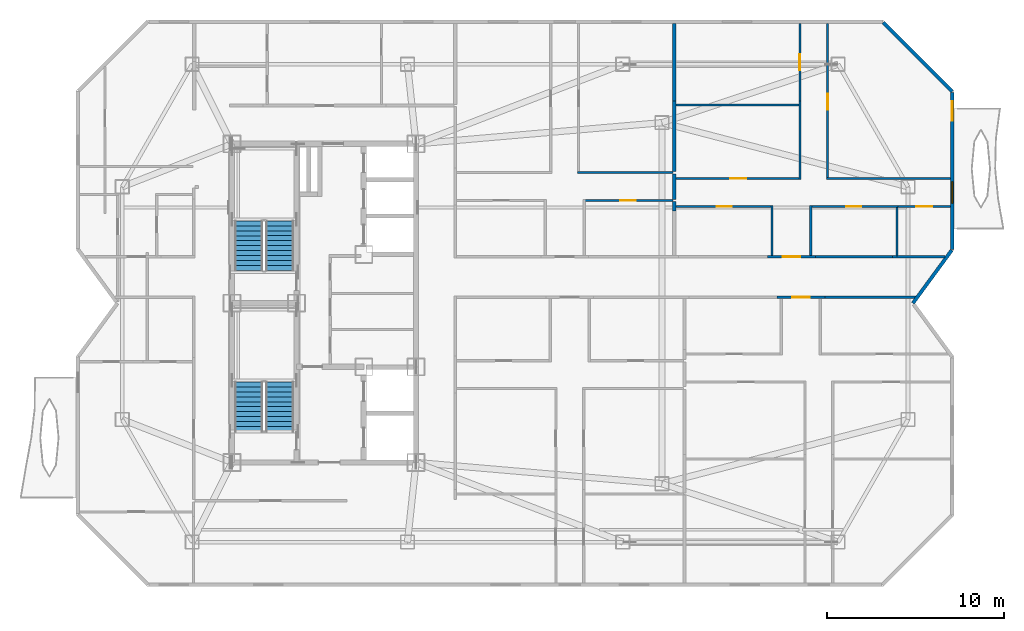
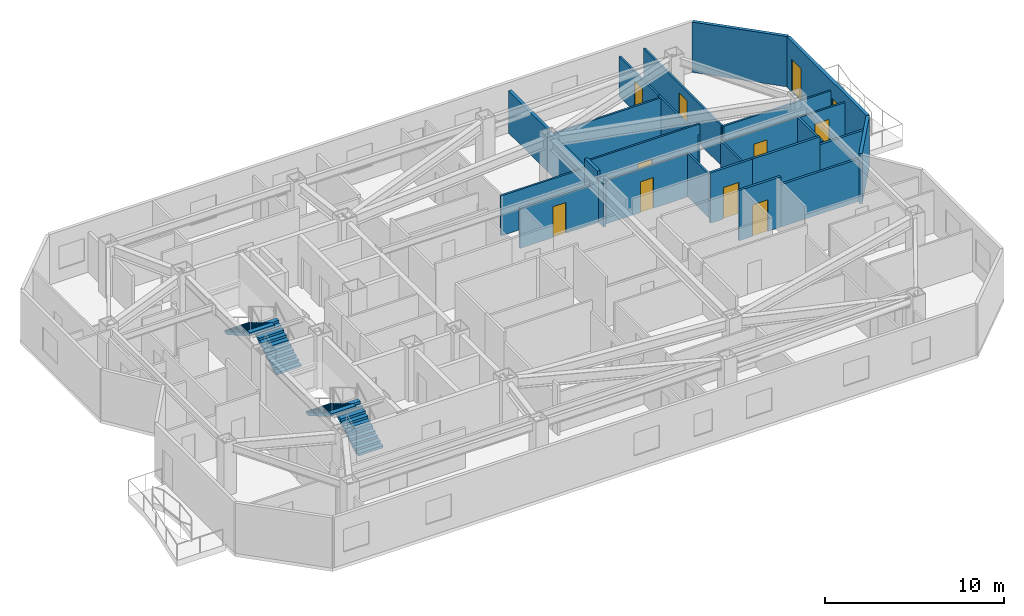
# One storey, part 8 of 10: 26 walls, 10 doors, 4 stair flights, 1 window, 11 openings, 2 elements without a shape of their own.
"""IFC4 building model written with IfcOpenShell, lengths in metres."""

import ifcopenshell
import ifcopenshell.guid

model = None  # the IFC model being written
_history = None  # IfcOwnerHistory: only IFC2X3 demands one
_inside = {}  # id of a spatial element -> (the spatial element, [elements in it])
_under = {}  # id of a project, library or spatial element -> (it, [spatial elements below it])
_declared = {}  # id of a project -> (the project, [libraries it declares])
_typed = {}  # id of a type object -> (the type object, [elements of that type])
_made_of = {}  # id of a material, layer set ... -> (it, [elements and type objects made of it])


def new_model(schema):
    """Start an empty IFC model of exactly this schema.

    Asked for "IFC4X3", IfcOpenShell would pick the latest addendum, in which some entities
    have other attributes; the version numbers below select the first issue.
    IFC2X3 requires an IfcOwnerHistory on every rooted entity: one is made here for all.
    """
    global model, _history
    if schema == "IFC4X3":
        model = ifcopenshell.file(schema_version=(4, 3, 0, 0))
    else:
        model = ifcopenshell.file(schema=schema)
    _inside.clear()
    _under.clear()
    _declared.clear()
    _typed.clear()
    _made_of.clear()
    _history = None
    if model.schema == "IFC2X3":
        org = make("IfcOrganization", Name="unknown")
        user = make(
            "IfcPersonAndOrganization",
            ThePerson=make("IfcPerson", FamilyName="unknown"),
            TheOrganization=org,
        )
        app = make(
            "IfcApplication",
            ApplicationDeveloper=org,
            Version="unknown",
            ApplicationFullName="unknown",
            ApplicationIdentifier="unknown",
        )
        _history = make(
            "IfcOwnerHistory",
            OwningUser=user,
            OwningApplication=app,
            ChangeAction="ADDED",
            CreationDate=0,
        )
    return model


def make(cls, **values):
    """One entity of the class cls with the attributes given. An attribute that is None is left unset."""
    return model.create_entity(
        cls, **{name: value for name, value in values.items() if value is not None}
    )


def rooted(cls, **values):
    """An entity with a GlobalId (a new one), such as an element, a storey or a relation."""
    return make(cls, GlobalId=ifcopenshell.guid.new(), OwnerHistory=_history, **values)


def si_unit(unit_type, name, prefix=None):
    """IfcSIUnit, for example si_unit("LENGTHUNIT", "METRE", prefix="MILLI")."""
    return make("IfcSIUnit", UnitType=unit_type, Prefix=prefix, Name=name)


def assignment(units):
    """IfcUnitAssignment: the units of a project."""
    return None if units is None else make("IfcUnitAssignment", Units=units)


def point(xyz):
    """IfcCartesianPoint."""
    return None if xyz is None else make("IfcCartesianPoint", Coordinates=xyz)


def direction(xyz):
    """IfcDirection."""
    return None if xyz is None else make("IfcDirection", DirectionRatios=xyz)


def frame(location, z_axis=None, x_axis=None):
    """IfcAxis2Placement3D, a coordinate frame: its origin and axes. An axis left out is left unset."""
    return make(
        "IfcAxis2Placement3D",
        Location=point(location),
        Axis=direction(z_axis),
        RefDirection=direction(x_axis),
    )


def frame_2d(location, x_axis=None):
    """IfcAxis2Placement2D, a coordinate frame in the plane: its origin and x axis."""
    return make(
        "IfcAxis2Placement2D", Location=point(location), RefDirection=direction(x_axis)
    )


def origin():
    """The frame at (0, 0, 0) with its axes left unset."""
    return frame((0.0, 0.0, 0.0))


def place(relative_to, where):
    """IfcLocalPlacement: puts the frame where relative to a parent placement (None: the world)."""
    return make(
        "IfcLocalPlacement", PlacementRelTo=relative_to, RelativePlacement=where
    )


def context(
    kind, dimensions, precision=None, world=None, true_north=None, identifier=None
):
    """IfcGeometricRepresentationContext, for example the 3D "Model" context."""
    return make(
        "IfcGeometricRepresentationContext",
        ContextIdentifier=identifier,
        ContextType=kind,
        CoordinateSpaceDimension=dimensions,
        Precision=precision,
        WorldCoordinateSystem=world,
        TrueNorth=true_north,
    )


def subcontext(parent, identifier, kind, view, scale=None):
    """IfcGeometricRepresentationSubContext, for example "Body" below "Model"."""
    return make(
        "IfcGeometricRepresentationSubContext",
        ContextIdentifier=identifier,
        ContextType=kind,
        ParentContext=parent,
        TargetScale=scale,
        TargetView=view,
    )


def project(units=None, contexts=None):
    """IfcProject with its units and contexts."""
    return rooted(
        "IfcProject",
        Name="project",
        RepresentationContexts=contexts,
        UnitsInContext=assignment(units),
    )


def spatial(cls, under=None, at=None, **own):
    """A site, building, storey or space (cls), placed at a placement, below another one or the project."""
    s = rooted(cls, ObjectPlacement=at, **own)
    if under is not None:
        _under.setdefault(under.id(), (under, []))[1].append(s)
    return s


def polyline(points):
    """IfcPolyline through the points."""
    return make("IfcPolyline", Points=[point(p) for p in points])


def profile(cls, at=None, kind="AREA", **sizes):
    """A parametric profile (cls). Its sizes go by their IFC names, for example OverallWidth=200.0."""
    return make(cls, ProfileType=kind, Position=at, **sizes)


def rectangle(**sizes):
    """IfcRectangleProfileDef."""
    return profile("IfcRectangleProfileDef", **sizes)


def outline(outer, holes=None, kind="AREA"):
    """IfcArbitraryClosedProfileDef: a profile drawn as a closed curve; with holes, ...WithVoids."""
    if holes is None:
        return make("IfcArbitraryClosedProfileDef", ProfileType=kind, OuterCurve=outer)
    return make(
        "IfcArbitraryProfileDefWithVoids",
        ProfileType=kind,
        OuterCurve=outer,
        InnerCurves=holes,
    )


def extrude(swept, where, along, depth):
    """IfcExtrudedAreaSolid: the profile swept, set in the frame where, extruded along a direction by depth."""
    return make(
        "IfcExtrudedAreaSolid",
        SweptArea=swept,
        Position=where,
        ExtrudedDirection=direction(along),
        Depth=depth,
    )


def shape(context_of_items, identifier, shape_type, items):
    """IfcShapeRepresentation: the items that make up one representation, for example the "Body"."""
    return make(
        "IfcShapeRepresentation",
        ContextOfItems=context_of_items,
        RepresentationIdentifier=identifier,
        RepresentationType=shape_type,
        Items=items,
    )


def material(Name=None, Category=None):
    """IfcMaterial."""
    return make("IfcMaterial", Name=Name, Category=Category)


def layer(
    of_material, thickness, ventilated=None, Name=None, Category=None, Priority=None
):
    """IfcMaterialLayer: one layer of a wall or slab, of a material (None: an air gap)."""
    return make(
        "IfcMaterialLayer",
        Material=of_material,
        LayerThickness=thickness,
        IsVentilated=ventilated,
        Name=Name,
        Category=Category,
        Priority=Priority,
    )


def layer_set(layers, Name=None):
    """IfcMaterialLayerSet."""
    return make("IfcMaterialLayerSet", MaterialLayers=layers, LayerSetName=Name)


def made_of(thing, what):
    """Note that an element or type object is made of a material, layer set ...; save() writes the relation."""
    if what is not None:
        _made_of.setdefault(what.id(), (what, []))[1].append(thing)
    return thing


def type_object(cls, material=None, **own):
    """A type object (cls), such as IfcWallType, which elements share."""
    return made_of(rooted(cls, **own), material)


def element(
    cls,
    number,
    at=None,
    inside=None,
    cuts=None,
    type_object=None,
    material=None,
    context=None,
    identifier="Body",
    shape_type=None,
    held_by="IfcProductDefinitionShape",
    body=None,
    shapes=None,
    **own,
):
    """One element of the class cls, such as IfcWall. Its Tag is "e" and its number.

    at: its placement. inside: the storey or other place that contains it. cuts: it is an
    opening in that element (IfcRelVoidsElement). A single representation is given by context,
    identifier, shape_type and body (its items); several are given by shapes. held_by: the class
    of the entity that holds the representations. save() writes the other relations.
    """
    e = rooted(cls, Tag="e%d" % number, ObjectPlacement=at, **own)
    if body is not None:
        shapes = [shape(context, identifier, shape_type, body)]
    if shapes is not None:
        e.Representation = make(held_by, Representations=shapes)
    if inside is not None:
        _inside.setdefault(inside.id(), (inside, []))[1].append(e)
    if cuts is not None:
        rooted(
            "IfcRelVoidsElement", RelatingBuildingElement=cuts, RelatedOpeningElement=e
        )
    if type_object is not None:
        _typed.setdefault(type_object.id(), (type_object, []))[1].append(e)
    return made_of(e, material)


def fill(opening, filler):
    """IfcRelFillsElement: the door or window that sits in an opening."""
    return rooted(
        "IfcRelFillsElement",
        RelatingOpeningElement=opening,
        RelatedBuildingElement=filler,
    )


def aggregate(whole, parts):
    """IfcRelAggregates: a whole, such as a stair, and the parts it consists of."""
    return rooted("IfcRelAggregates", RelatingObject=whole, RelatedObjects=parts)


def save(model, path):
    """Write the relations noted so far, then the file.

    IfcRelAggregates (storeys below a building ...), IfcRelContainedInSpatialStructure (elements
    in a storey), IfcRelDefinesByType, IfcRelAssociatesMaterial and IfcRelDeclares: one each for
    every whole, place, type object, material and project.
    """
    for whole, parts in _under.values():
        aggregate(whole, parts)
    for where, things in _inside.values():
        rooted(
            "IfcRelContainedInSpatialStructure",
            RelatedElements=things,
            RelatingStructure=where,
        )
    for kind, things in _typed.values():
        rooted("IfcRelDefinesByType", RelatedObjects=things, RelatingType=kind)
    for what, things in _made_of.values():
        rooted("IfcRelAssociatesMaterial", RelatedObjects=things, RelatingMaterial=what)
    for by, libraries in _declared.values():
        rooted("IfcRelDeclares", RelatingContext=by, RelatedDefinitions=libraries)
    model.write(path)


model = new_model("IFC4")

# Units and contexts
model_context = context("Model", 3, precision=1e-05, world=origin(), true_north=direction((0.0, 1.0)))
body_context = subcontext(model_context, "Body", "Model", "MODEL_VIEW")
ifc_project = project(units=[si_unit("LENGTHUNIT", "METRE"), si_unit("AREAUNIT", "SQUARE_METRE"), si_unit("VOLUMEUNIT", "CUBIC_METRE"), si_unit("PLANEANGLEUNIT", "RADIAN"), si_unit("MASSUNIT", "GRAM", prefix="KILO")], contexts=[model_context])

# Site, building, storey
site_placement = place(None, origin())
site = spatial("IfcSite", under=ifc_project, at=site_placement, CompositionType="ELEMENT")
building_placement = place(site_placement, origin())
building = spatial("IfcBuilding", under=site, at=building_placement, Name="Khamvora Tower", CompositionType="ELEMENT")
storey_placement = place(building_placement, frame((0.0, 0.0, 250.050048828125)))
storey = spatial("IfcBuildingStorey", under=building, at=storey_placement, Name="L64", CompositionType="ELEMENT", Elevation=250.050048828125)

# Wall, opening, door
ifc_material_1 = material(Name="Fire-Rated Drywall and Steel Stud", Category="steel")
ifc_layer_1 = layer(ifc_material_1, 0.14990234375)
ifc_layer_set_1 = layer_set([ifc_layer_1], Name="Fire-Rated Drywall and Steel Stud")
wall_type_1 = type_object("IfcWallType", Name="WAL-CORR-150", PredefinedType="STANDARD", material=ifc_layer_set_1)
wall_1_placement = place(storey_placement, frame((62.4951171875, 28.3349609375, 0.0), z_axis=(0.0, 0.0, 1.0), x_axis=(-1.0, 0.0, 0.0)))
wall_1 = element("IfcWall", 1, at=wall_1_placement, inside=storey, type_object=wall_type_1, Name="L64 interior partition wall 026", PredefinedType="STANDARD", context=body_context, shape_type="SweptSolid", body=[
    extrude(rectangle(XDim=2.69921875, YDim=0.14990234375, at=frame_2d((1.349609375, 0.0))), origin(), (0.0, 0.0, 1.0), 3.429931640625),
])
opening_1_placement = place(wall_1_placement, frame((0.84912109375, 0.0, 0.0)))
opening_1 = element("IfcOpeningElement", 2, at=opening_1_placement, cuts=wall_1, Name="Opening D-U1", PredefinedType="OPENING", context=body_context, shape_type="SweptSolid", body=[
    extrude(rectangle(XDim=1.0, YDim=2.14990234375, at=frame_2d((0.5, 1.074951171875))), frame((0.0, 0.0849609375, 0.0), z_axis=(0.0, -1.0, 0.0), x_axis=(1.0, 0.0, 0.0)), (0.0, 0.0, 1.0), 0.169921875),
])
ifc_material_2 = material(Name="Powder-Coated Steel and Hardwood Leaf", Category="steel")
door_type_1 = type_object("IfcDoorType", Name="DOR-UNIT-1000", OperationType="NOTDEFINED", PredefinedType="DOOR", material=ifc_material_2)
door_1_placement = place(opening_1_placement, origin())
door_1 = element("IfcDoor", 3, at=door_1_placement, inside=storey, type_object=door_type_1, Name="L64 interior door COR-64EA2H", OperationType="SINGLE_SWING_RIGHT", OverallHeight=2.14990234375, OverallWidth=1.0, PredefinedType="DOOR", context=body_context, shape_type="SweptSolid", body=[
    extrude(rectangle(XDim=1.0, YDim=2.14990234375, at=frame_2d((0.5, 1.074951171875))), frame((0.0, 0.02490234375, 0.0), z_axis=(0.0, -1.0, 0.0), x_axis=(1.0, 0.0, 0.0)), (0.0, 0.0, 1.0), 0.050048828125),
])
fill(opening_1, door_1)

# Walls
wall_2_placement = place(storey_placement, frame((67.694091796875, 28.3349609375, 0.0), z_axis=(0.0, 0.0, 1.0), x_axis=(-1.0, 0.0, 0.0)))
element("IfcWall", 4, at=wall_2_placement, inside=storey, type_object=wall_type_1, Name="L64 interior partition wall 028", PredefinedType="STANDARD", context=body_context, shape_type="SweptSolid", body=[
    extrude(rectangle(XDim=5.198974609375, YDim=0.14990234375, at=frame_2d((2.599609375, 0.0))), origin(), (0.0, 0.0, 1.0), 2.886962890625),
])
wall_3_placement = place(storey_placement, frame((66.3291015625, 30.614990234375, 0.0), z_axis=(0.0, 0.0, 1.0), x_axis=(1.0, 0.0, 0.0)))
element("IfcWall", 5, at=wall_3_placement, inside=storey, type_object=wall_type_1, Name="L64 interior partition wall 035", PredefinedType="STANDARD", context=body_context, shape_type="SweptSolid", body=[
    extrude(rectangle(XDim=2.9609375, YDim=0.14990234375, at=frame_2d((1.48046875, 0.0))), origin(), (0.0, 0.0, 1.0), 2.886962890625),
])

# Wall, opening, door
wall_4_placement = place(storey_placement, frame((59.263916015625, 30.614990234375, 0.0), z_axis=(0.0, 0.0, 1.0), x_axis=(1.0, 0.0, 0.0)))
wall_4 = element("IfcWall", 6, at=wall_4_placement, inside=storey, type_object=wall_type_1, Name="L64 interior partition wall 036", PredefinedType="STANDARD", context=body_context, shape_type="SweptSolid", body=[
    extrude(rectangle(XDim=2.697998046875, YDim=0.14990234375, at=frame_2d((1.34912109375, 0.0))), origin(), (0.0, 0.0, 1.0), 3.429931640625),
])
opening_2_placement = place(wall_4_placement, frame((0.84912109375, 0.0, 0.0)))
opening_2 = element("IfcOpeningElement", 7, at=opening_2_placement, cuts=wall_4, Name="Opening D-U1", PredefinedType="OPENING", context=body_context, shape_type="SweptSolid", body=[
    extrude(rectangle(XDim=1.0, YDim=2.14990234375, at=frame_2d((0.5, 1.074951171875))), frame((0.0, 0.0849609375, 0.0), z_axis=(0.0, -1.0, 0.0), x_axis=(1.0, 0.0, 0.0)), (0.0, 0.0, 1.0), 0.169921875),
])
door_2_placement = place(opening_2_placement, origin())
door_2 = element("IfcDoor", 8, at=door_2_placement, inside=storey, type_object=door_type_1, Name="L64 interior door COR-64ECH", OperationType="SINGLE_SWING_RIGHT", OverallHeight=2.14990234375, OverallWidth=1.0, PredefinedType="DOOR", context=body_context, shape_type="SweptSolid", body=[
    extrude(rectangle(XDim=1.0, YDim=2.14990234375, at=frame_2d((0.5, 1.074951171875))), frame((0.0, 0.02490234375, 0.0), z_axis=(0.0, -1.0, 0.0), x_axis=(1.0, 0.0, 0.0)), (0.0, 0.0, 1.0), 0.050048828125),
])
fill(opening_2, door_2)

# Walls
wall_5_placement = place(storey_placement, frame((61.9619140625, 30.614990234375, 0.0), z_axis=(0.0, 0.0, 1.0), x_axis=(1.0, 0.0, 0.0)))
element("IfcWall", 9, at=wall_5_placement, inside=storey, type_object=wall_type_1, Name="L64 interior partition wall 037", PredefinedType="STANDARD", context=body_context, shape_type="SweptSolid", body=[
    extrude(rectangle(XDim=4.3671875, YDim=0.14990234375, at=frame_2d((2.18359375, 0.0))), origin(), (0.0, 0.0, 1.0), 3.429931640625),
])
ifc_material_3 = material(Name="Acoustic Double-Stud Fire Wall", Category="gypsum")
ifc_layer_2 = layer(ifc_material_3, 0.179931640625)
ifc_layer_set_2 = layer_set([ifc_layer_2], Name="Acoustic Double-Stud Fire Wall")
wall_type_2 = type_object("IfcWallType", Name="WAL-CORR-180", PredefinedType="STANDARD", material=ifc_layer_set_2)
wall_6_placement = place(storey_placement, frame((53.985107421875, 35.2919921875, 0.0), z_axis=(0.0, 0.0, 1.0), x_axis=(0.0, -1.0, 0.0)))
element("IfcWall", 10, at=wall_6_placement, inside=storey, type_object=wall_type_2, Name="L64 interior partition wall 096", PredefinedType="STANDARD", context=body_context, shape_type="SweptSolid", body=[
    extrude(rectangle(XDim=1.424072265625, YDim=0.179931640625, at=frame_2d((0.7119140625, 0.0))), origin(), (0.0, 0.0, 1.0), 3.429931640625),
])
wall_7_placement = place(storey_placement, frame((53.985107421875, 33.738037109375, 0.0), z_axis=(0.0, 0.0, 1.0), x_axis=(0.0, -1.0, 0.0)))
element("IfcWall", 11, at=wall_7_placement, inside=storey, type_object=wall_type_2, Name="L64 interior partition wall 097", PredefinedType="STANDARD", context=body_context, shape_type="SweptSolid", body=[
    extrude(rectangle(XDim=0.52392578125, YDim=0.179931640625, at=frame_2d((0.261962890625, 0.0))), origin(), (0.0, 0.0, 1.0), 2.9609375),
])
wall_8_placement = place(storey_placement, frame((53.985107421875, 39.43603515625, 0.0), z_axis=(0.0, 0.0, 1.0), x_axis=(0.0, -1.0, 0.0)))
element("IfcWall", 12, at=wall_8_placement, inside=storey, type_object=wall_type_2, Name="L64 interior partition wall 099", PredefinedType="STANDARD", context=body_context, shape_type="SweptSolid", body=[
    extrude(rectangle(XDim=3.988037109375, YDim=0.179931640625, at=frame_2d((1.994140625, 0.0))), origin(), (0.0, 0.0, 1.0), 2.724853515625),
])
wall_9_placement = place(storey_placement, frame((53.985107421875, 43.80810546875, 0.0), z_axis=(0.0, 0.0, 1.0), x_axis=(0.0, -1.0, 0.0)))
element("IfcWall", 13, at=wall_9_placement, inside=storey, type_object=wall_type_2, Name="L64 interior partition wall 100", PredefinedType="STANDARD", context=body_context, shape_type="SweptSolid", body=[
    extrude(rectangle(XDim=4.3720703125, YDim=0.179931640625, at=frame_2d((2.18603515625, 0.0))), origin(), (0.0, 0.0, 1.0), 2.886962890625),
])
ifc_material_4 = material(Name="Precast concrete C40/50", Category="concrete")
ifc_layer_3 = layer(ifc_material_4, 0.199951171875)
ifc_layer_set_3 = layer_set([ifc_layer_3], Name="Precast concrete C40/50")
wall_type_3 = type_object("IfcWallType", Name="WAL-EXT-200", PredefinedType="STANDARD", material=ifc_layer_set_3)
wall_10_placement = place(storey_placement, frame((65.802001953125, 43.85693359375, 0.0), z_axis=(0.0, 0.0, 1.0), x_axis=(0.707106781187, -0.707106781187, 0.0)))
element("IfcWall", 14, at=wall_10_placement, inside=storey, type_object=wall_type_3, Name="L64 exterior facade wall 08.1", PredefinedType="STANDARD", context=body_context, shape_type="SweptSolid", body=[
    extrude(rectangle(XDim=5.512451171875, YDim=0.199951171875, at=frame_2d((2.75634765625, 0.0))), origin(), (0.0, 0.0, 1.0), 3.429931640625),
])

# Wall, openings, door, window
wall_11_placement = place(storey_placement, frame((69.699951171875, 39.89599609375, 0.0), z_axis=(0.0, 0.0, 1.0), x_axis=(0.0, -1.0, 0.0)))
wall_11 = element("IfcWall", 15, at=wall_11_placement, inside=storey, type_object=wall_type_3, Name="L64 exterior facade wall 09.1", PredefinedType="STANDARD", context=body_context, shape_type="SweptSolid", body=[
    extrude(rectangle(XDim=8.863037109375, YDim=0.199951171875, at=frame_2d((4.431640625, 0.0))), origin(), (0.0, 0.0, 1.0), 3.429931640625),
])
opening_3_placement = place(wall_11_placement, frame((0.4951171875, 0.0, 0.0)))
opening_3 = element("IfcOpeningElement", 16, at=opening_3_placement, cuts=wall_11, Name="Opening BD-01", PredefinedType="OPENING", context=body_context, shape_type="SweptSolid", body=[
    extrude(rectangle(XDim=1.10009765625, YDim=2.199951171875, at=frame_2d((0.550048828125, 1.10009765625))), frame((0.0, 0.10986328125, 0.0), z_axis=(0.0, -1.0, 0.0), x_axis=(1.0, 0.0, 0.0)), (0.0, 0.0, 1.0), 0.219970703125),
])
opening_4_placement = place(wall_11_placement, frame((5.04296875, 0.0, 0.800048828125)))
opening_4 = element("IfcOpeningElement", 17, at=opening_4_placement, cuts=wall_11, Name="Opening WN-03", PredefinedType="OPENING", context=body_context, shape_type="SweptSolid", body=[
    extrude(rectangle(XDim=1.199951171875, YDim=1.5, at=frame_2d((0.60009765625, 0.75))), frame((0.0, 0.10986328125, 0.0), z_axis=(0.0, -1.0, 0.0), x_axis=(1.0, 0.0, 0.0)), (0.0, 0.0, 1.0), 0.219970703125),
])
ifc_material_5 = material(Name="Anodised Aluminium and Laminated Safety Glass", Category="aluminium")
door_type_2 = type_object("IfcDoorType", Name="DOR-BAL-1100", OperationType="NOTDEFINED", PredefinedType="DOOR", material=ifc_material_5)
door_3_placement = place(opening_3_placement, origin())
door_3 = element("IfcDoor", 18, at=door_3_placement, inside=storey, type_object=door_type_2, Name="L64 lens gallery balcony door EL2", OperationType="SLIDING_TO_LEFT", OverallHeight=2.199951171875, OverallWidth=1.10009765625, PredefinedType="DOOR", context=body_context, shape_type="SweptSolid", body=[
    extrude(rectangle(XDim=1.10009765625, YDim=2.199951171875, at=frame_2d((0.550048828125, 1.10009765625))), frame((0.0, 0.02490234375, 0.0), z_axis=(0.0, -1.0, 0.0), x_axis=(1.0, 0.0, 0.0)), (0.0, 0.0, 1.0), 0.050048828125),
])
fill(opening_3, door_3)
ifc_material_6 = material(Name="Low-E Laminated Double Glazing", Category="glass")
window_type = type_object("IfcWindowType", Name="WIN-VIS-1200x1500", PartitioningType="SINGLE_PANEL", PredefinedType="WINDOW", material=ifc_material_6)
window_placement = place(opening_4_placement, origin())
window = element("IfcWindow", 19, at=window_placement, inside=storey, type_object=window_type, Name="L64 vision window 09.1.01", OverallHeight=1.5, OverallWidth=1.199951171875, PartitioningType="SINGLE_PANEL", PredefinedType="WINDOW", context=body_context, shape_type="SweptSolid", body=[
    extrude(rectangle(XDim=1.199951171875, YDim=1.5, at=frame_2d((0.60009765625, 0.75))), frame((0.0, 0.030029296875, 0.0), z_axis=(0.0, -1.0, 0.0), x_axis=(1.0, 0.0, 0.0)), (0.0, 0.0, 1.0), 0.06005859375),
])
fill(opening_4, window)

# Walls
wall_12_placement = place(storey_placement, frame((69.669921875, 30.991943359375, 0.0), z_axis=(0.0, 0.0, 1.0), x_axis=(-0.591320870733, -0.806436375566, 0.0)))
element("IfcWall", 20, at=wall_12_placement, inside=storey, type_object=wall_type_3, Name="L64 exterior facade wall 10.1", PredefinedType="STANDARD", context=body_context, shape_type="SweptSolid", body=[
    extrude(rectangle(XDim=3.7099609375, YDim=0.199951171875, at=frame_2d((1.85498046875, 0.0))), origin(), (0.0, 0.0, 1.0), 3.429931640625),
])
ifc_material_7 = material(Name="Gypsum Plasterboard Partition", Category="gypsum")
ifc_layer_4 = layer(ifc_material_7, 0.1201171875)
ifc_layer_set_4 = layer_set([ifc_layer_4], Name="Gypsum Plasterboard Partition")
wall_type_4 = type_object("IfcWallType", Name="WAL-PART-120", PredefinedType="PARTITIONING", material=ifc_layer_set_4)
wall_13_placement = place(storey_placement, frame((48.52001953125, 35.383056640625, 0.0), z_axis=(0.0, 0.0, 1.0), x_axis=(1.0, 0.0, 0.0)))
element("IfcWall", 21, at=wall_13_placement, inside=storey, type_object=wall_type_4, Name="L64 interior partition wall 095", PredefinedType="PARTITIONING", context=body_context, shape_type="SweptSolid", body=[
    extrude(rectangle(XDim=5.39990234375, YDim=0.1201171875, at=frame_2d((2.699951171875, 0.0))), origin(), (0.0, 0.0, 1.0), 2.724853515625),
])

# Wall, opening, door
wall_14_placement = place(storey_placement, frame((66.64306640625, 33.462890625, 0.0), z_axis=(0.0, 0.0, 1.0), x_axis=(1.0, 0.0, 0.0)))
wall_14 = element("IfcWall", 22, at=wall_14_placement, inside=storey, type_object=wall_type_4, Name="L64 interior partition wall 101", PredefinedType="PARTITIONING", context=body_context, shape_type="SweptSolid", body=[
    extrude(rectangle(XDim=2.96484375, YDim=0.1201171875, at=frame_2d((1.482421875, 0.0))), origin(), (0.0, 0.0, 1.0), 2.886962890625),
])
opening_5_placement = place(wall_14_placement, frame((1.031982421875, 0.0, 0.0)))
opening_5 = element("IfcOpeningElement", 23, at=opening_5_placement, cuts=wall_14, Name="Opening D-RM1", PredefinedType="OPENING", context=body_context, shape_type="SweptSolid", body=[
    extrude(rectangle(XDim=0.89990234375, YDim=2.10009765625, at=frame_2d((0.449951171875, 1.050048828125))), frame((0.0, 0.070068359375, 0.0), z_axis=(0.0, -1.0, 0.0), x_axis=(1.0, 0.0, 0.0)), (0.0, 0.0, 1.0), 0.14013671875),
])
door_type_3 = type_object("IfcDoorType", Name="DOR-ROOM-900", OperationType="NOTDEFINED", PredefinedType="DOOR", material=ifc_material_2)
door_4_placement = place(opening_5_placement, origin())
door_4 = element("IfcDoor", 24, at=door_4_placement, inside=storey, type_object=door_type_3, Name="L64 interior door 64ECW2-64ECH", OperationType="SINGLE_SWING_RIGHT", OverallHeight=2.10009765625, OverallWidth=0.89990234375, PredefinedType="DOOR", context=body_context, shape_type="SweptSolid", body=[
    extrude(rectangle(XDim=0.89990234375, YDim=2.10009765625, at=frame_2d((0.449951171875, 1.050048828125))), frame((0.0, 0.02490234375, 0.0), z_axis=(0.0, -1.0, 0.0), x_axis=(1.0, 0.0, 0.0)), (0.0, 0.0, 1.0), 0.050048828125),
])
fill(opening_5, door_4)

wall_15_placement = place(storey_placement, frame((54.06689453125, 35.04296875, 0.0), z_axis=(0.0, 0.0, 1.0), x_axis=(1.0, 0.0, 0.0)))
wall_15 = element("IfcWall", 25, at=wall_15_placement, inside=storey, type_object=wall_type_4, Name="L64 interior partition wall 107", PredefinedType="PARTITIONING", context=body_context, shape_type="SweptSolid", body=[
    extrude(rectangle(XDim=7.0830078125, YDim=0.1201171875, at=frame_2d((3.54150390625, 0.0))), origin(), (0.0, 0.0, 1.0), 3.429931640625),
])
opening_6_placement = place(wall_15_placement, frame((3.091064453125, 0.0, 0.0)))
opening_6 = element("IfcOpeningElement", 26, at=opening_6_placement, cuts=wall_15, Name="Opening D-RM1", PredefinedType="OPENING", context=body_context, shape_type="SweptSolid", body=[
    extrude(rectangle(XDim=0.89990234375, YDim=2.10009765625, at=frame_2d((0.449951171875, 1.050048828125))), frame((0.0, 0.070068359375, 0.0), z_axis=(0.0, -1.0, 0.0), x_axis=(1.0, 0.0, 0.0)), (0.0, 0.0, 1.0), 0.14013671875),
])
door_5_placement = place(opening_6_placement, origin())
door_5 = element("IfcDoor", 27, at=door_5_placement, inside=storey, type_object=door_type_3, Name="L64 interior door 64ECH-64ECL", OperationType="SINGLE_SWING_RIGHT", OverallHeight=2.10009765625, OverallWidth=0.89990234375, PredefinedType="DOOR", context=body_context, shape_type="SweptSolid", body=[
    extrude(rectangle(XDim=0.89990234375, YDim=2.10009765625, at=frame_2d((0.449951171875, 1.050048828125))), frame((0.0, 0.02490234375, 0.0), z_axis=(0.0, -1.0, 0.0), x_axis=(1.0, 0.0, 0.0)), (0.0, 0.0, 1.0), 0.050048828125),
])
fill(opening_6, door_5)

# Wall
wall_16_placement = place(storey_placement, frame((61.0849609375, 34.97802734375, 0.0), z_axis=(0.0, 0.0, 1.0), x_axis=(0.0, 1.0, 0.0)))
element("IfcWall", 28, at=wall_16_placement, inside=storey, type_object=wall_type_4, Name="L64 interior partition wall 108", PredefinedType="PARTITIONING", context=body_context, shape_type="SweptSolid", body=[
    extrude(rectangle(XDim=4.4580078125, YDim=0.1201171875, at=frame_2d((2.22900390625, 0.0))), origin(), (0.0, 0.0, 1.0), 2.724853515625),
])

# Wall, opening, door
wall_17_placement = place(storey_placement, frame((61.0849609375, 39.43603515625, 0.0), z_axis=(0.0, 0.0, 1.0), x_axis=(0.0, 1.0, 0.0)))
wall_17 = element("IfcWall", 29, at=wall_17_placement, inside=storey, type_object=wall_type_4, Name="L64 interior partition wall 109", PredefinedType="PARTITIONING", context=body_context, shape_type="SweptSolid", body=[
    extrude(rectangle(XDim=4.3720703125, YDim=0.1201171875, at=frame_2d((2.18603515625, 0.0))), origin(), (0.0, 0.0, 1.0), 2.724853515625),
])
opening_7_placement = place(wall_17_placement, frame((1.736083984375, 0.0, 0.0)))
opening_7 = element("IfcOpeningElement", 30, at=opening_7_placement, cuts=wall_17, Name="Opening D-RM1", PredefinedType="OPENING", context=body_context, shape_type="SweptSolid", body=[
    extrude(rectangle(XDim=0.89990234375, YDim=2.10009765625, at=frame_2d((0.449951171875, 1.050048828125))), frame((0.0, 0.070068359375, 0.0), z_axis=(0.0, -1.0, 0.0), x_axis=(1.0, 0.0, 0.0)), (0.0, 0.0, 1.0), 0.14013671875),
])
door_6_placement = place(opening_7_placement, origin())
door_6 = element("IfcDoor", 31, at=door_6_placement, inside=storey, type_object=door_type_3, Name="L64 interior door 64ECH-64ECR2", OperationType="SINGLE_SWING_LEFT", OverallHeight=2.10009765625, OverallWidth=0.89990234375, PredefinedType="DOOR", context=body_context, shape_type="SweptSolid", body=[
    extrude(rectangle(XDim=0.89990234375, YDim=2.10009765625, at=frame_2d((0.449951171875, 1.050048828125))), frame((0.0, 0.02490234375, 0.0), z_axis=(0.0, -1.0, 0.0), x_axis=(1.0, 0.0, 0.0)), (0.0, 0.0, 1.0), 0.050048828125),
])
fill(opening_7, door_6)

wall_18_placement = place(storey_placement, frame((62.655029296875, 43.80810546875, 0.0), z_axis=(0.0, 0.0, 1.0), x_axis=(0.0, -1.0, 0.0)))
wall_18 = element("IfcWall", 32, at=wall_18_placement, inside=storey, type_object=wall_type_4, Name="L64 interior partition wall 110", PredefinedType="PARTITIONING", context=body_context, shape_type="SweptSolid", body=[
    extrude(rectangle(XDim=8.830078125, YDim=0.1201171875, at=frame_2d((4.4150390625, 0.0))), origin(), (0.0, 0.0, 1.0), 2.724853515625),
])
opening_8_placement = place(wall_18_placement, frame((3.965087890625, 0.0, 0.0)))
opening_8 = element("IfcOpeningElement", 33, at=opening_8_placement, cuts=wall_18, Name="Opening D-RM1", PredefinedType="OPENING", context=body_context, shape_type="SweptSolid", body=[
    extrude(rectangle(XDim=0.89990234375, YDim=2.10009765625, at=frame_2d((0.449951171875, 1.050048828125))), frame((0.0, 0.070068359375, 0.0), z_axis=(0.0, -1.0, 0.0), x_axis=(1.0, 0.0, 0.0)), (0.0, 0.0, 1.0), 0.14013671875),
])
door_7_placement = place(opening_8_placement, origin())
door_7 = element("IfcDoor", 34, at=door_7_placement, inside=storey, type_object=door_type_3, Name="L64 interior door 64ECH-64ECR3", OperationType="SINGLE_SWING_RIGHT", OverallHeight=2.10009765625, OverallWidth=0.89990234375, PredefinedType="DOOR", context=body_context, shape_type="SweptSolid", body=[
    extrude(rectangle(XDim=0.89990234375, YDim=2.10009765625, at=frame_2d((0.449951171875, 1.050048828125))), frame((0.0, 0.02490234375, 0.0), z_axis=(0.0, -1.0, 0.0), x_axis=(1.0, 0.0, 0.0)), (0.0, 0.0, 1.0), 0.050048828125),
])
fill(opening_8, door_7)

# Walls
wall_19_placement = place(storey_placement, frame((62.590087890625, 35.04296875, 0.0), z_axis=(0.0, 0.0, 1.0), x_axis=(1.0, 0.0, 0.0)))
element("IfcWall", 35, at=wall_19_placement, inside=storey, type_object=wall_type_4, Name="L64 interior partition wall 111", PredefinedType="PARTITIONING", context=body_context, shape_type="SweptSolid", body=[
    extrude(rectangle(XDim=7.017822265625, YDim=0.1201171875, at=frame_2d((3.5087890625, 0.0))), origin(), (0.0, 0.0, 1.0), 2.724853515625),
])
wall_20_placement = place(storey_placement, frame((54.06689453125, 39.18701171875, 0.0), z_axis=(0.0, 0.0, 1.0), x_axis=(1.0, 0.0, 0.0)))
element("IfcWall", 36, at=wall_20_placement, inside=storey, type_object=wall_type_4, Name="L64 interior partition wall 112", PredefinedType="PARTITIONING", context=body_context, shape_type="SweptSolid", body=[
    extrude(rectangle(XDim=6.964111328125, YDim=0.1201171875, at=frame_2d((3.48193359375, 0.0))), origin(), (0.0, 0.0, 1.0), 2.724853515625),
])

# Wall, opening, door
ifc_material_8 = material(Name="Moisture-Resistant Plasterboard Partition", Category="gypsum")
ifc_layer_5 = layer(ifc_material_8, 0.135009765625)
ifc_layer_set_5 = layer_set([ifc_layer_5], Name="Moisture-Resistant Plasterboard Partition")
wall_type_5 = type_object("IfcWallType", Name="WAL-WET-135", PredefinedType="PARTITIONING", material=ifc_layer_set_5)
wall_21_placement = place(storey_placement, frame((53.919921875, 33.802978515625, 0.0), z_axis=(0.0, 0.0, 1.0), x_axis=(-1.0, 0.0, 0.0)))
wall_21 = element("IfcWall", 37, at=wall_21_placement, inside=storey, type_object=wall_type_5, Name="L64 interior partition wall 090", PredefinedType="PARTITIONING", context=body_context, shape_type="SweptSolid", body=[
    extrude(rectangle(XDim=5.0849609375, YDim=0.135009765625, at=frame_2d((2.54248046875, 0.0))), origin(), (0.0, 0.0, 1.0), 2.724853515625),
])
opening_9_placement = place(wall_21_placement, frame((2.117919921875, 0.0, 0.0)))
opening_9 = element("IfcOpeningElement", 38, at=opening_9_placement, cuts=wall_21, Name="Opening D-RM2", PredefinedType="OPENING", context=body_context, shape_type="SweptSolid", body=[
    extrude(rectangle(XDim=0.85009765625, YDim=2.10009765625, at=frame_2d((0.425048828125, 1.050048828125))), frame((0.0, 0.077392578125, 0.0), z_axis=(0.0, -1.0, 0.0), x_axis=(1.0, 0.0, 0.0)), (0.0, 0.0, 1.0), 0.155029296875),
])
door_type_4 = type_object("IfcDoorType", Name="DOR-ROOM-850", OperationType="NOTDEFINED", PredefinedType="DOOR", material=ifc_material_2)
door_8_placement = place(opening_9_placement, origin())
door_8 = element("IfcDoor", 39, at=door_8_placement, inside=storey, type_object=door_type_4, Name="L64 interior door 64EBH-64EBK", OperationType="SINGLE_SWING_RIGHT", OverallHeight=2.10009765625, OverallWidth=0.85009765625, PredefinedType="DOOR", context=body_context, shape_type="SweptSolid", body=[
    extrude(rectangle(XDim=0.85009765625, YDim=2.10009765625, at=frame_2d((0.425048828125, 1.050048828125))), frame((0.0, 0.02490234375, 0.0), z_axis=(0.0, -1.0, 0.0), x_axis=(1.0, 0.0, 0.0)), (0.0, 0.0, 1.0), 0.050048828125),
])
fill(opening_9, door_8)

# Wall
wall_22_placement = place(storey_placement, frame((66.577880859375, 30.679931640625, 0.0), z_axis=(0.0, 0.0, 1.0), x_axis=(0.0, 1.0, 0.0)))
element("IfcWall", 40, at=wall_22_placement, inside=storey, type_object=wall_type_5, Name="L64 interior partition wall 102", PredefinedType="PARTITIONING", context=body_context, shape_type="SweptSolid", body=[
    extrude(rectangle(XDim=2.718017578125, YDim=0.135009765625, at=frame_2d((1.35888671875, 0.0))), origin(), (0.0, 0.0, 1.0), 2.9609375),
])

# Wall, opening, door
wall_23_placement = place(storey_placement, frame((66.64306640625, 33.462890625, 0.0), z_axis=(0.0, 0.0, 1.0), x_axis=(-1.0, 0.0, 0.0)))
wall_23 = element("IfcWall", 41, at=wall_23_placement, inside=storey, type_object=wall_type_5, Name="L64 interior partition wall 103", PredefinedType="PARTITIONING", context=body_context, shape_type="SweptSolid", body=[
    extrude(rectangle(XDim=4.9951171875, YDim=0.135009765625, at=frame_2d((2.49755859375, 0.0))), origin(), (0.0, 0.0, 1.0), 2.9609375),
])
opening_10_placement = place(wall_23_placement, frame((2.072998046875, 0.0, 0.0)))
opening_10 = element("IfcOpeningElement", 42, at=opening_10_placement, cuts=wall_23, Name="Opening D-WC1", PredefinedType="OPENING", context=body_context, shape_type="SweptSolid", body=[
    extrude(rectangle(XDim=0.85009765625, YDim=2.10009765625, at=frame_2d((0.425048828125, 1.050048828125))), frame((0.0, 0.077392578125, 0.0), z_axis=(0.0, -1.0, 0.0), x_axis=(1.0, 0.0, 0.0)), (0.0, 0.0, 1.0), 0.155029296875),
])
door_type_5 = type_object("IfcDoorType", Name="DOR-WET-850", OperationType="NOTDEFINED", PredefinedType="DOOR", material=ifc_material_2)
door_9_placement = place(opening_10_placement, origin())
door_9 = element("IfcDoor", 43, at=door_9_placement, inside=storey, type_object=door_type_5, Name="L64 interior door 64ECH-64ECB", OperationType="SINGLE_SWING_RIGHT", OverallHeight=2.10009765625, OverallWidth=0.85009765625, PredefinedType="DOOR", context=body_context, shape_type="SweptSolid", body=[
    extrude(rectangle(XDim=0.85009765625, YDim=2.10009765625, at=frame_2d((0.425048828125, 1.050048828125))), frame((0.0, 0.02490234375, 0.0), z_axis=(0.0, -1.0, 0.0), x_axis=(1.0, 0.0, 0.0)), (0.0, 0.0, 1.0), 0.050048828125),
])
fill(opening_10, door_9)

# Walls
for number, where, z_axis, x_axis, name in (
    (44, (61.712890625, 33.528076171875, 0.0), (0.0, 0.0, 1.0), (0.0, -1.0, 0.0), "L64 interior partition wall 104"),
    (45, (59.512939453125, 30.679931640625, 0.0), (0.0, 0.0, 1.0), (0.0, 1.0, 0.0), "L64 interior partition wall 105"),
):
    element("IfcWall", number, at=place(storey_placement, frame(where, z_axis=z_axis, x_axis=x_axis)), inside=storey, type_object=wall_type_5, Name=name, PredefinedType="PARTITIONING", context=body_context, shape_type="SweptSolid", body=[
        extrude(rectangle(XDim=2.84814453125, YDim=0.135009765625, at=frame_2d((1.424072265625, 0.0))), origin(), (0.0, 0.0, 1.0), 2.9609375),
    ])

# Wall, opening, door
wall_24_placement = place(storey_placement, frame((59.577880859375, 33.462890625, 0.0), z_axis=(0.0, 0.0, 1.0), x_axis=(-1.0, 0.0, 0.0)))
wall_24 = element("IfcWall", 46, at=wall_24_placement, inside=storey, type_object=wall_type_5, Name="L64 interior partition wall 106", PredefinedType="PARTITIONING", context=body_context, shape_type="SweptSolid", body=[
    extrude(rectangle(XDim=5.510986328125, YDim=0.135009765625, at=frame_2d((2.75537109375, 0.0))), origin(), (0.0, 0.0, 1.0), 2.9609375),
])
opening_11_placement = place(wall_24_placement, frame((2.3310546875, 0.0, 0.0)))
opening_11 = element("IfcOpeningElement", 47, at=opening_11_placement, cuts=wall_24, Name="Opening D-RM2", PredefinedType="OPENING", context=body_context, shape_type="SweptSolid", body=[
    extrude(rectangle(XDim=0.85009765625, YDim=2.10009765625, at=frame_2d((0.425048828125, 1.050048828125))), frame((0.0, 0.077392578125, 0.0), z_axis=(0.0, -1.0, 0.0), x_axis=(1.0, 0.0, 0.0)), (0.0, 0.0, 1.0), 0.155029296875),
])
door_10_placement = place(opening_11_placement, origin())
door_10 = element("IfcDoor", 48, at=door_10_placement, inside=storey, type_object=door_type_4, Name="L64 interior door 64ECH-64ECK", OperationType="SINGLE_SWING_LEFT", OverallHeight=2.10009765625, OverallWidth=0.85009765625, PredefinedType="DOOR", context=body_context, shape_type="SweptSolid", body=[
    extrude(rectangle(XDim=0.85009765625, YDim=2.10009765625, at=frame_2d((0.425048828125, 1.050048828125))), frame((0.0, 0.02490234375, 0.0), z_axis=(0.0, -1.0, 0.0), x_axis=(1.0, 0.0, 0.0)), (0.0, 0.0, 1.0), 0.050048828125),
])
fill(opening_11, door_10)

# Stair, stair flights
ifc_material_9 = material(Name="Concrete C40/50", Category="concrete")
stair_type_1 = type_object("IfcStairType", Name="STR-ST-01", PredefinedType="HALF_TURN_STAIR", material=ifc_material_9)
stair_1_placement = place(storey_placement, origin())
stair_1 = element("IfcStair", 49, at=stair_1_placement, inside=storey, type_object=stair_type_1, Name="L64 South Tower Exit Stair ST-01", PredefinedType="HALF_TURN_STAIR")
stair_flight_type_1 = type_object("IfcStairFlightType", Name="STF-ST-01", PredefinedType="STRAIGHT", material=ifc_material_9)
stair_flight_1_placement = place(storey_placement, frame((31.699951171875, 20.75, 0.0), z_axis=(0.0, 0.0, 1.0), x_axis=(0.0, 1.0, 0.0)))
stair_flight_1 = element("IfcStairFlight", 50, at=stair_flight_1_placement, type_object=stair_flight_type_1, Name="ST-01 flight 1", NumberOfRisers=11, NumberOfTreads=10, PredefinedType="STRAIGHT", RiserHeight=0.165909091, TreadLength=0.28, context=body_context, shape_type="SweptSolid", body=[
    extrude(outline(polyline([(0.0, 0.0), (0.0, 0.166015625), (0.280029296875, 0.166015625), (0.280029296875, 0.331787109375), (0.56005859375, 0.331787109375), (0.56005859375, 0.497802734375), (0.840087890625, 0.497802734375), (0.840087890625, 0.66357421875), (1.1201171875, 0.66357421875), (1.1201171875, 0.82958984375), (1.39990234375, 0.82958984375), (1.39990234375, 0.995361328125), (1.679931640625, 0.995361328125), (1.679931640625, 1.161376953125), (1.9599609375, 1.161376953125), (1.9599609375, 1.327392578125), (2.239990234375, 1.327392578125), (2.239990234375, 1.4931640625), (2.52001953125, 1.4931640625), (2.52001953125, 1.6591796875), (2.800048828125, 1.6591796875), (2.800048828125, 1.824951171875), (2.800048828125, 1.48486328125), (0.2939453125, 0.0), (0.0, 0.0)])), frame((0.0, 0.800048828125, 0.0), z_axis=(0.0, -1.0, 0.0), x_axis=(1.0, 0.0, 0.0)), (0.0, 0.0, 1.0), 1.60009765625),
])
stair_flight_2_placement = place(storey_placement, frame((29.949951171875, 23.550048828125, 1.824951171875), z_axis=(0.0, 0.0, 1.0), x_axis=(0.0, -1.0, 0.0)))
stair_flight_2 = element("IfcStairFlight", 51, at=stair_flight_2_placement, type_object=stair_flight_type_1, Name="ST-01 flight 2", NumberOfRisers=11, NumberOfTreads=10, PredefinedType="STRAIGHT", RiserHeight=0.165909091, TreadLength=0.28, context=body_context, shape_type="SweptSolid", body=[
    extrude(outline(polyline([(0.0, 0.0), (0.0, 0.166015625), (0.280029296875, 0.166015625), (0.280029296875, 0.331787109375), (0.56005859375, 0.331787109375), (0.56005859375, 0.497802734375), (0.840087890625, 0.497802734375), (0.840087890625, 0.66357421875), (1.1201171875, 0.66357421875), (1.1201171875, 0.82958984375), (1.39990234375, 0.82958984375), (1.39990234375, 0.995361328125), (1.679931640625, 0.995361328125), (1.679931640625, 1.161376953125), (1.9599609375, 1.161376953125), (1.9599609375, 1.327392578125), (2.239990234375, 1.327392578125), (2.239990234375, 1.4931640625), (2.52001953125, 1.4931640625), (2.52001953125, 1.6591796875), (2.800048828125, 1.6591796875), (2.800048828125, 1.824951171875), (2.800048828125, 1.48486328125), (0.2939453125, 0.0), (0.0, 0.0)])), frame((0.0, 0.800048828125, 0.0), z_axis=(0.0, -1.0, 0.0), x_axis=(1.0, 0.0, 0.0)), (0.0, 0.0, 1.0), 1.60009765625),
])
aggregate(stair_1, [stair_flight_1, stair_flight_2])

stair_type_2 = type_object("IfcStairType", Name="STR-ST-02", PredefinedType="HALF_TURN_STAIR", material=ifc_material_9)
stair_2_placement = place(storey_placement, origin())
stair_2 = element("IfcStair", 52, at=stair_2_placement, inside=storey, type_object=stair_type_2, Name="L64 North Tower Exit Stair ST-02", PredefinedType="HALF_TURN_STAIR")
stair_flight_type_2 = type_object("IfcStairFlightType", Name="STF-ST-02", PredefinedType="STRAIGHT", material=ifc_material_9)
stair_flight_3_placement = place(storey_placement, frame((31.699951171875, 29.85009765625, 0.0), z_axis=(0.0, 0.0, 1.0), x_axis=(0.0, 1.0, 0.0)))
stair_flight_3 = element("IfcStairFlight", 53, at=stair_flight_3_placement, type_object=stair_flight_type_2, Name="ST-02 flight 1", NumberOfRisers=11, NumberOfTreads=10, PredefinedType="STRAIGHT", RiserHeight=0.165909091, TreadLength=0.28, context=body_context, shape_type="SweptSolid", body=[
    extrude(outline(polyline([(0.0, 0.0), (0.0, 0.166015625), (0.280029296875, 0.166015625), (0.280029296875, 0.331787109375), (0.56005859375, 0.331787109375), (0.56005859375, 0.497802734375), (0.840087890625, 0.497802734375), (0.840087890625, 0.66357421875), (1.1201171875, 0.66357421875), (1.1201171875, 0.82958984375), (1.39990234375, 0.82958984375), (1.39990234375, 0.995361328125), (1.679931640625, 0.995361328125), (1.679931640625, 1.161376953125), (1.9599609375, 1.161376953125), (1.9599609375, 1.327392578125), (2.239990234375, 1.327392578125), (2.239990234375, 1.4931640625), (2.52001953125, 1.4931640625), (2.52001953125, 1.6591796875), (2.800048828125, 1.6591796875), (2.800048828125, 1.824951171875), (2.800048828125, 1.48486328125), (0.2939453125, 0.0), (0.0, 0.0)])), frame((0.0, 0.800048828125, 0.0), z_axis=(0.0, -1.0, 0.0), x_axis=(1.0, 0.0, 0.0)), (0.0, 0.0, 1.0), 1.60009765625),
])
stair_flight_4_placement = place(storey_placement, frame((29.949951171875, 32.64990234375, 1.824951171875), z_axis=(0.0, 0.0, 1.0), x_axis=(0.0, -1.0, 0.0)))
stair_flight_4 = element("IfcStairFlight", 54, at=stair_flight_4_placement, type_object=stair_flight_type_2, Name="ST-02 flight 2", NumberOfRisers=11, NumberOfTreads=10, PredefinedType="STRAIGHT", RiserHeight=0.165909091, TreadLength=0.28, context=body_context, shape_type="SweptSolid", body=[
    extrude(outline(polyline([(0.0, 0.0), (0.0, 0.166015625), (0.280029296875, 0.166015625), (0.280029296875, 0.331787109375), (0.56005859375, 0.331787109375), (0.56005859375, 0.497802734375), (0.840087890625, 0.497802734375), (0.840087890625, 0.66357421875), (1.1201171875, 0.66357421875), (1.1201171875, 0.82958984375), (1.39990234375, 0.82958984375), (1.39990234375, 0.995361328125), (1.679931640625, 0.995361328125), (1.679931640625, 1.161376953125), (1.9599609375, 1.161376953125), (1.9599609375, 1.327392578125), (2.239990234375, 1.327392578125), (2.239990234375, 1.4931640625), (2.52001953125, 1.4931640625), (2.52001953125, 1.6591796875), (2.800048828125, 1.6591796875), (2.800048828125, 1.824951171875), (2.800048828125, 1.48486328125), (0.2939453125, 0.0), (0.0, 0.0)])), frame((0.0, 0.800048828125, 0.0), z_axis=(0.0, -1.0, 0.0), x_axis=(1.0, 0.0, 0.0)), (0.0, 0.0, 1.0), 1.60009765625),
])
aggregate(stair_2, [stair_flight_3, stair_flight_4])

save(model, "model.ifc")
